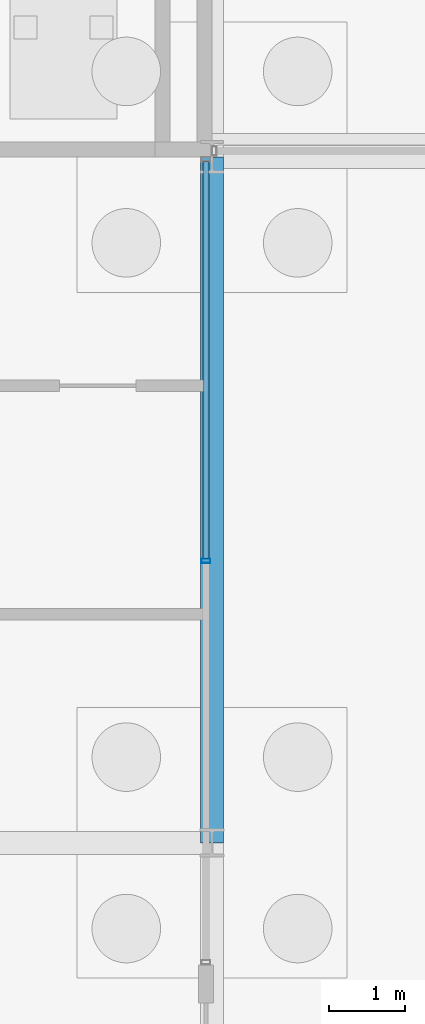
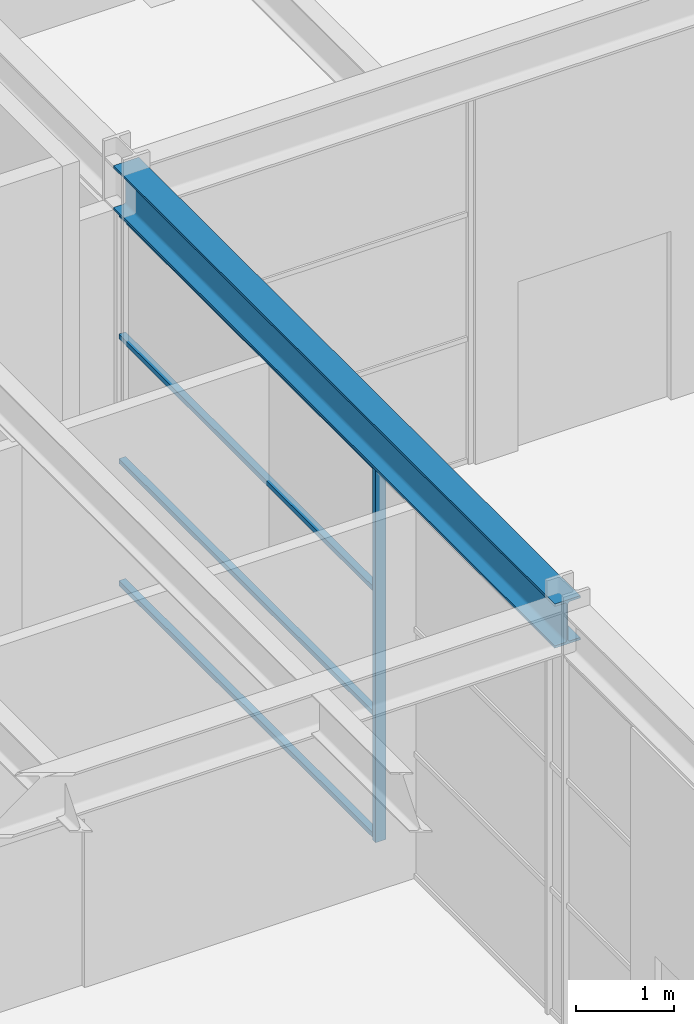
# One storey, part 41 of 126: 5 members, 1 beam, 1 element without a shape of its own.
"""IFC4 building model written with IfcOpenShell, lengths in metres."""

from ifc_helpers import new_model, si_unit, direction, frame, origin, origin_2d, place, context, subcontext, project, spatial, hollow_rectangle, i_section, extrude, material, material_profile, profile_set, type_object, element, aggregate, save


model = new_model("IFC4")

# Units and contexts
model_context = context("Model", 3, precision=1e-05, world=origin(), true_north=direction((0.0, 1.0)))
body_context = subcontext(model_context, "Body", "Model", "MODEL_VIEW")
ifc_project = project(units=[si_unit("LENGTHUNIT", "METRE"), si_unit("AREAUNIT", "SQUARE_METRE"), si_unit("VOLUMEUNIT", "CUBIC_METRE"), si_unit("PLANEANGLEUNIT", "RADIAN"), si_unit("MASSUNIT", "GRAM", prefix="KILO")], contexts=[model_context])

# Site, building, storey
site_placement = place(None, origin())
site = spatial("IfcSite", under=ifc_project, at=site_placement, CompositionType="ELEMENT")
building_placement = place(site_placement, origin())
building = spatial("IfcBuilding", under=site, at=building_placement, Name="Kallimachos Central Library", CompositionType="ELEMENT")
storey_placement = place(building_placement, origin())
storey = spatial("IfcBuildingStorey", under=building, at=storey_placement, Name="L00", CompositionType="ELEMENT", Elevation=0.0)

# Curtain wall, members
ifc_material_1 = material(Name="Aluminium and laminated glass", Category="aluminium")
curtain_wall_type = type_object("IfcCurtainWallType", Name="Atrium glazed screen", PredefinedType="NOTDEFINED", material=ifc_material_1)
curtain_wall_placement = place(storey_placement, origin())
curtain_wall = element("IfcCurtainWall", 1, at=curtain_wall_placement, inside=storey, type_object=curtain_wall_type, Name="L00 atrium screen W", PredefinedType="NOTDEFINED")
ifc_material_2 = material(Name="Anodised aluminium", Category="aluminium")
ifc_material_profile_1 = material_profile(ifc_material_2, hollow_rectangle(XDim=0.06005859375, YDim=0.1201171875, WallThickness=0.00390625, at=origin_2d()), Name="ALU MULLION 60x120")
ifc_profile_set_1 = profile_set([ifc_material_profile_1], Name="Anodised aluminium")
member_type_1 = type_object("IfcMemberType", Name="Atrium screen mullion", PredefinedType="MULLION", material=ifc_profile_set_1)
member_1_placement = place(storey_placement, frame((74.419921875, 69.699951171875, 0.0), z_axis=(0.0, 0.0, 1.0), x_axis=(0.0, 1.0, 0.0)))
member_1 = element("IfcMember", 2, at=member_1_placement, type_object=member_type_1, Name="CW mullion 2", PredefinedType="MULLION", context=body_context, shape_type="SweptSolid", body=[
    extrude(hollow_rectangle(XDim=0.06005859375, YDim=0.1201171875, WallThickness=0.00390625, at=origin_2d()), origin(), (0.0, 0.0, 1.0), 4.64990234375),
])
ifc_material_3 = material(Name="Anodised aluminium", Category="aluminium")
ifc_material_profile_2 = material_profile(ifc_material_3, hollow_rectangle(XDim=0.06005859375, YDim=0.080078125, WallThickness=0.00390625, at=origin_2d()), Name="ALU TRANSOM 60x80")
ifc_profile_set_2 = profile_set([ifc_material_profile_2], Name="Anodised aluminium")
member_type_2 = type_object("IfcMemberType", Name="Atrium screen transom", PredefinedType="USERDEFINED", material=ifc_profile_set_2)
member_2_placement = place(storey_placement, frame((74.419921875, 69.72998046875, 0.030029296875), z_axis=(0.0, 1.0, 0.0), x_axis=(0.0, 0.0, 1.0)))
member_2 = element("IfcMember", 3, at=member_2_placement, type_object=member_type_2, Name="CW transom 2.1", ObjectType="TRANSOM", PredefinedType="USERDEFINED", context=body_context, shape_type="SweptSolid", body=[
    extrude(hollow_rectangle(XDim=0.06005859375, YDim=0.080078125, WallThickness=0.00390625, at=origin_2d()), origin(), (0.0, 0.0, 1.0), 5.2099609375),
])
member_3_placement = place(storey_placement, frame((74.419921875, 69.72998046875, 1.550048828125), z_axis=(0.0, 1.0, 0.0), x_axis=(0.0, 0.0, 1.0)))
member_3 = element("IfcMember", 4, at=member_3_placement, type_object=member_type_2, Name="CW transom 2.2", ObjectType="TRANSOM", PredefinedType="USERDEFINED", context=body_context, shape_type="SweptSolid", body=[
    extrude(hollow_rectangle(XDim=0.06005859375, YDim=0.080078125, WallThickness=0.00390625, at=origin_2d()), origin(), (0.0, 0.0, 1.0), 5.2099609375),
])
member_4_placement = place(storey_placement, frame((74.419921875, 69.72998046875, 3.10009765625), z_axis=(0.0, 1.0, 0.0), x_axis=(0.0, 0.0, 1.0)))
member_4 = element("IfcMember", 5, at=member_4_placement, type_object=member_type_2, Name="CW transom 2.3", ObjectType="TRANSOM", PredefinedType="USERDEFINED", context=body_context, shape_type="SweptSolid", body=[
    extrude(hollow_rectangle(XDim=0.06005859375, YDim=0.080078125, WallThickness=0.00390625, at=origin_2d()), origin(), (0.0, 0.0, 1.0), 5.2099609375),
])
member_5_placement = place(storey_placement, frame((74.419921875, 69.72998046875, 4.6201171875), z_axis=(0.0, 1.0, 0.0), x_axis=(0.0, 0.0, 1.0)))
member_5 = element("IfcMember", 6, at=member_5_placement, type_object=member_type_2, Name="CW transom 2.4", ObjectType="TRANSOM", PredefinedType="USERDEFINED", context=body_context, shape_type="SweptSolid", body=[
    extrude(hollow_rectangle(XDim=0.06005859375, YDim=0.080078125, WallThickness=0.00390625, at=origin_2d()), origin(), (0.0, 0.0, 1.0), 5.2099609375),
])
aggregate(curtain_wall, [member_1, member_2, member_3, member_4, member_5])

# Beam
ifc_material_4 = material(Name="Steel S355J2", Category="steel")
ifc_material_profile_3 = material_profile(ifc_material_4, i_section(OverallWidth=0.300048828125, OverallDepth=0.550048828125, WebThickness=0.014892578125, FlangeThickness=0.029052734375, FilletRadius=0.027099609375, at=origin_2d()), Name="HEB 550")
ifc_profile_set_3 = profile_set([ifc_material_profile_3], Name="Steel S355J2")
beam_type = type_object("IfcBeamType", Name="HEB 550 beam", PredefinedType="BEAM", material=ifc_profile_set_3)
beam_placement = place(storey_placement, frame((74.5, 66.0, 4.925048828125), z_axis=(0.0, 1.0, 0.0), x_axis=(-1.0, 0.0, 0.0)))
element("IfcBeam", 7, at=beam_placement, inside=storey, type_object=beam_type, Name="V4-BEM-L00-026", PredefinedType="BEAM", context=body_context, shape_type="SweptSolid", body=[
    extrude(i_section(OverallWidth=0.300048828125, OverallDepth=0.550048828125, WebThickness=0.014892578125, FlangeThickness=0.029052734375, FilletRadius=0.027099609375, at=origin_2d()), origin(), (0.0, 0.0, 1.0), 9.0),
])

save(model, "model.ifc")
